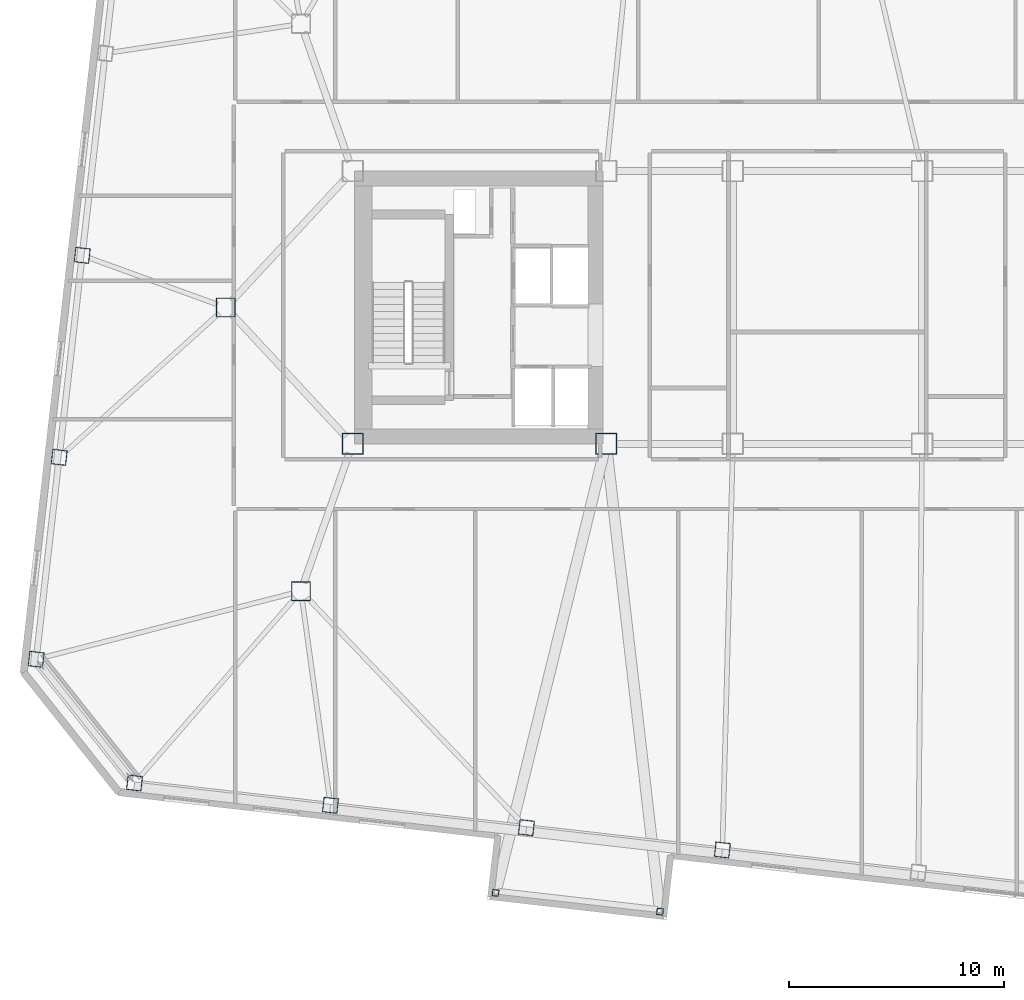
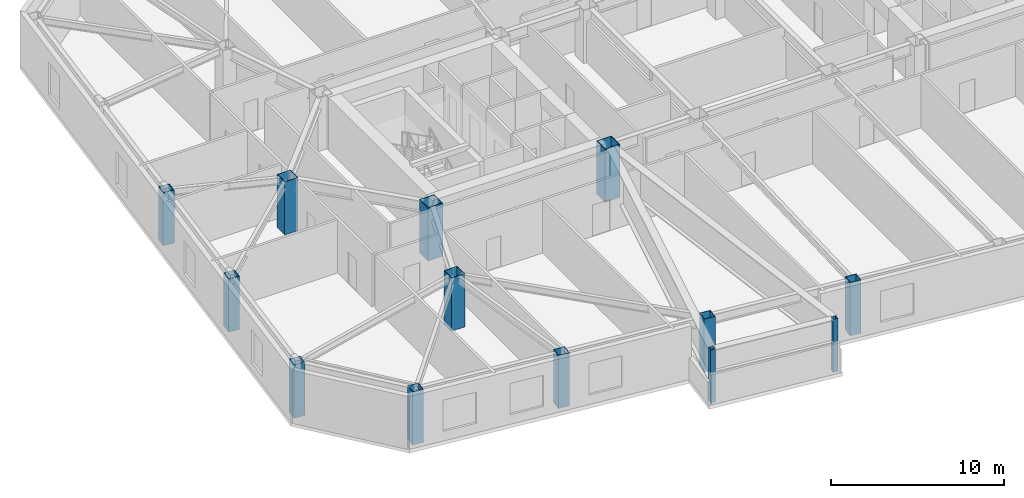
# One storey, part 1 of 19: 13 columns.
"""IFC4 building model written with IfcOpenShell, lengths in metres."""

from ifc_helpers import new_model, si_unit, direction, frame, origin, origin_2d, place, context, subcontext, project, spatial, hollow_rectangle, extrude, material, material_profile, profile_set, type_object, element, save


model = new_model("IFC4")

# Units and contexts
model_context = context("Model", 3, precision=1e-05, world=origin(), true_north=direction((0.0, 1.0)))
body_context = subcontext(model_context, "Body", "Model", "MODEL_VIEW")
ifc_project = project(units=[si_unit("LENGTHUNIT", "METRE"), si_unit("AREAUNIT", "SQUARE_METRE"), si_unit("VOLUMEUNIT", "CUBIC_METRE"), si_unit("PLANEANGLEUNIT", "RADIAN"), si_unit("MASSUNIT", "GRAM", prefix="KILO")], contexts=[model_context])

# Site, building, storey
site_placement = place(None, origin())
site = spatial("IfcSite", under=ifc_project, at=site_placement, CompositionType="ELEMENT")
building_placement = place(site_placement, origin())
building = spatial("IfcBuilding", under=site, at=building_placement, Name="Tavrogorsk Clinical Tower", CompositionType="ELEMENT")
storey_placement = place(building_placement, frame((0.0, 0.0, 97.39990234375)))
storey = spatial("IfcBuildingStorey", under=building, at=storey_placement, Name="L21", CompositionType="ELEMENT", Elevation=97.39990234375)

# Columns
ifc_material_1 = material(Name="Structural steel S390", Category="steel")
ifc_material_profile_1 = material_profile(ifc_material_1, hollow_rectangle(XDim=0.300048828125, YDim=0.300048828125, WallThickness=0.01611328125, at=origin_2d()), Name="SHS-300x300x16")
ifc_profile_set_1 = profile_set([ifc_material_profile_1], Name="Structural steel S390")
column_type_1 = type_object("IfcColumnType", Name="DayroomCol_SHS300", PredefinedType="COLUMN", material=ifc_profile_set_1)
for number, where, z_axis, x_axis, name in (
    (1, (-15.445068359375, -27.243408203125, 0.0), (0.0, 0.0, 1.0), (0.993571855677, -0.113203213768, 0.0), "L21 Day-Room Box Column DRB-03-L"),
    (2, (-7.79443359375, -28.114990234375, 0.0), (0.0, 0.0, 1.0), (0.993571855677, -0.113203213768, 0.0), "L21 Day-Room Box Column DRB-03-R"),
):
    element("IfcColumn", number, at=place(storey_placement, frame(where, z_axis=z_axis, x_axis=x_axis)), inside=storey, type_object=column_type_1, Name=name, PredefinedType="COLUMN", context=body_context, shape_type="SweptSolid", body=[
        extrude(hollow_rectangle(XDim=0.300048828125, YDim=0.300048828125, WallThickness=0.01611328125, at=origin_2d()), origin(), (0.0, 0.0, 1.0), 3.739990234375),
    ])
ifc_material_2 = material(Name="Structural steel S440", Category="steel")
ifc_material_profile_2 = material_profile(ifc_material_2, hollow_rectangle(XDim=1.0, YDim=1.0, WallThickness=0.044921875, at=origin_2d()), Name="BOX-1000x1000x45")
ifc_profile_set_2 = profile_set([ifc_material_profile_2], Name="Structural steel S440")
column_type_2 = type_object("IfcColumnType", Name="MegaCol_BOX1000", PredefinedType="COLUMN", material=ifc_profile_set_2)
for number, where, z_axis, x_axis, name in (
    (3, (-22.10009765625, -6.35009765625, 0.0), (0.0, 0.0, 1.0), (1.0, 0.0, 0.0), "L21 Mega Column MC-W1"),
    (4, (-10.300048828125, -6.35009765625, 0.0), (0.0, 0.0, 1.0), (1.0, 0.0, 0.0), "L21 Mega Column MC-W3"),
):
    element("IfcColumn", number, at=place(storey_placement, frame(where, z_axis=z_axis, x_axis=x_axis)), inside=storey, type_object=column_type_2, Name=name, PredefinedType="COLUMN", context=body_context, shape_type="SweptSolid", body=[
        extrude(hollow_rectangle(XDim=1.0, YDim=1.0, WallThickness=0.044921875, at=origin_2d()), origin(), (0.0, 0.0, 1.0), 3.739990234375),
    ])
ifc_material_3 = material(Name="Structural steel S440", Category="steel")
ifc_material_profile_3 = material_profile(ifc_material_3, hollow_rectangle(XDim=0.89990234375, YDim=0.89990234375, WallThickness=0.0400390625, at=origin_2d()), Name="BOX-900x900x40")
ifc_profile_set_3 = profile_set([ifc_material_profile_3], Name="Structural steel S440")
column_type_3 = type_object("IfcColumnType", Name="MegaCol_BOX900", PredefinedType="COLUMN", material=ifc_profile_set_3)
for number, where, z_axis, x_axis, name in (
    (5, (-24.5, -13.199951171875, 0.0), (0.0, 0.0, 1.0), (1.0, 0.0, 0.0), "L21 Spine Pilotis Column MC-P1"),
    (6, (-28.0, 0.0, 0.0), (0.0, 0.0, 1.0), (1.0, 0.0, 0.0), "L21 Spine Pilotis Column MC-P5"),
):
    element("IfcColumn", number, at=place(storey_placement, frame(where, z_axis=z_axis, x_axis=x_axis)), inside=storey, type_object=column_type_3, Name=name, PredefinedType="COLUMN", context=body_context, shape_type="SweptSolid", body=[
        extrude(hollow_rectangle(XDim=0.89990234375, YDim=0.89990234375, WallThickness=0.0400390625, at=origin_2d()), origin(), (0.0, 0.0, 1.0), 3.739990234375),
    ])
ifc_material_4 = material(Name="Structural steel S440", Category="steel")
ifc_material_profile_4 = material_profile(ifc_material_4, hollow_rectangle(XDim=0.699951171875, YDim=0.699951171875, WallThickness=0.031982421875, at=origin_2d()), Name="BOX-700x700x32")
ifc_profile_set_4 = profile_set([ifc_material_profile_4], Name="Structural steel S440")
column_type_4 = type_object("IfcColumnType", Name="PerimCol_B2_BOX700", PredefinedType="COLUMN", material=ifc_profile_set_4)
for number, where, z_axis, x_axis, name in (
    (7, (-32.243896484375, -22.12890625, 0.0), (0.0, 0.0, 1.0), (0.993571855677, -0.113203213768, 0.0), "L21 Perimeter Column S1"),
    (8, (-23.1259765625, -23.167724609375, 0.0), (0.0, 0.0, 1.0), (0.993571855677, -0.113203213768, 0.0), "L21 Perimeter Column S2"),
    (9, (-14.0078125, -24.20654296875, 0.0), (0.0, 0.0, 1.0), (0.993571855677, -0.113203213768, 0.0), "L21 Perimeter Column S3"),
    (10, (-4.8896484375, -25.24560546875, 0.0), (0.0, 0.0, 1.0), (0.993571855677, -0.113203213768, 0.0), "L21 Perimeter Column S4"),
    (11, (-34.68017578125, 2.4248046875, 0.0), (0.0, 0.0, 1.0), (0.993571855677, -0.113203213768, 0.0), "L21 Perimeter Column W3"),
    (12, (-35.7509765625, -6.974365234375, 0.0), (0.0, 0.0, 1.0), (0.993571855677, -0.113203213768, 0.0), "L21 Perimeter Column W4"),
    (13, (-36.822021484375, -16.37353515625, 0.0), (0.0, 0.0, 1.0), (0.993571855677, -0.113203213768, 0.0), "L21 Perimeter Column W5"),
):
    element("IfcColumn", number, at=place(storey_placement, frame(where, z_axis=z_axis, x_axis=x_axis)), inside=storey, type_object=column_type_4, Name=name, PredefinedType="COLUMN", context=body_context, shape_type="SweptSolid", body=[
        extrude(hollow_rectangle(XDim=0.699951171875, YDim=0.699951171875, WallThickness=0.031982421875, at=origin_2d()), origin(), (0.0, 0.0, 1.0), 3.739990234375),
    ])

save(model, "model.ifc")
